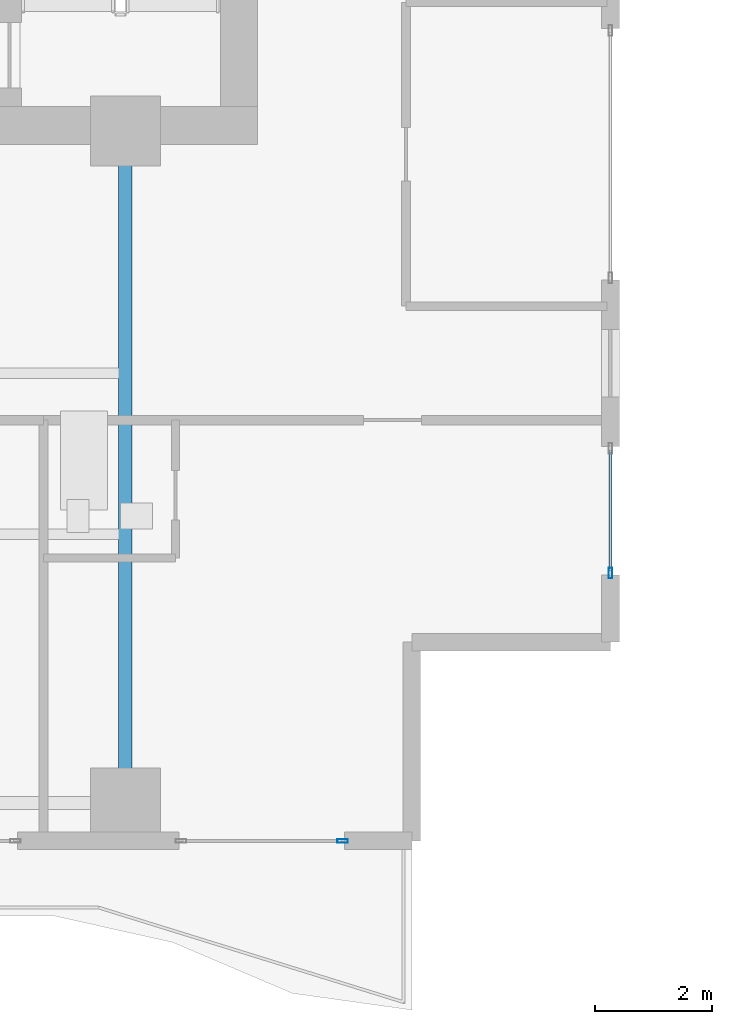
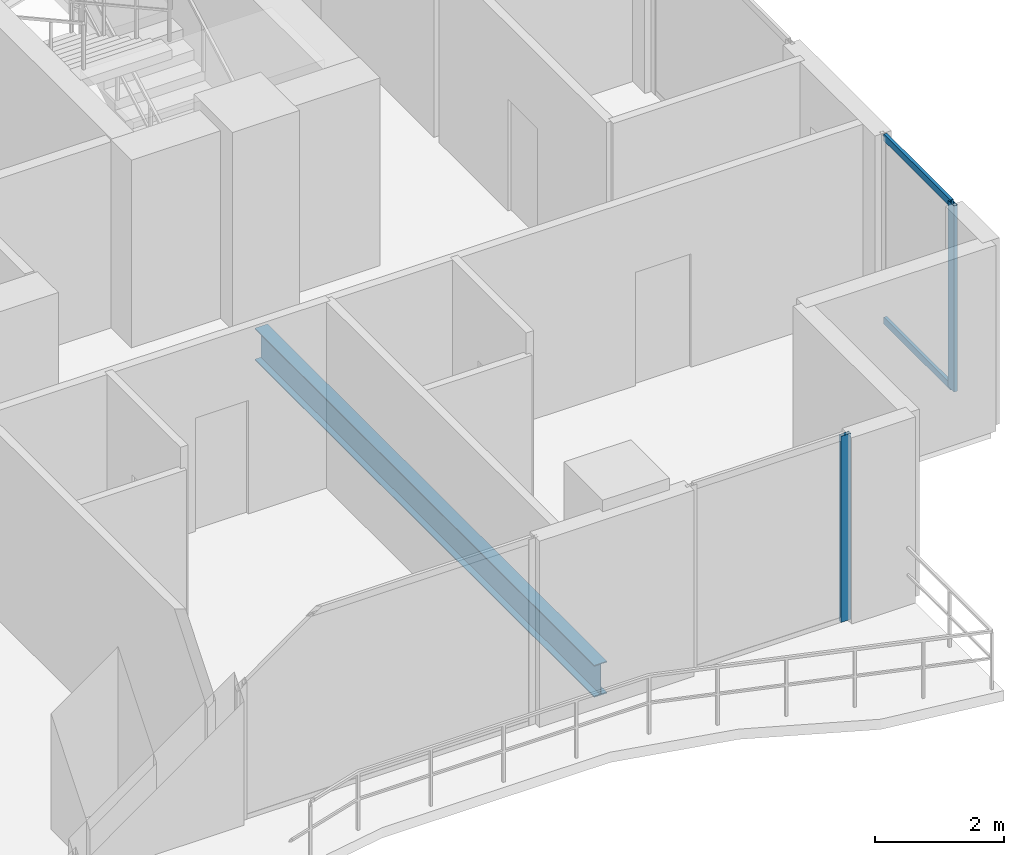
# One storey, part 10 of 32: 4 members, 1 beam, 2 elements without a shape of their own.
"""IFC4 building model written with IfcOpenShell, lengths in metres."""

from ifc_helpers import new_model, si_unit, direction, frame, origin, origin_2d, place, context, subcontext, project, spatial, hollow_rectangle, i_section, extrude, material, layer, layer_set, material_profile, profile_set, type_object, element, aggregate, save


model = new_model("IFC4")

# Units and contexts
model_context = context("Model", 3, precision=1e-05, world=origin(), true_north=direction((0.0, 1.0)))
body_context = subcontext(model_context, "Body", "Model", "MODEL_VIEW")
ifc_project = project(units=[si_unit("LENGTHUNIT", "METRE"), si_unit("AREAUNIT", "SQUARE_METRE"), si_unit("VOLUMEUNIT", "CUBIC_METRE"), si_unit("PLANEANGLEUNIT", "RADIAN"), si_unit("MASSUNIT", "GRAM", prefix="KILO")], contexts=[model_context])

# Site, building, storey
site_placement = place(None, origin())
site = spatial("IfcSite", under=ifc_project, at=site_placement, CompositionType="ELEMENT")
building_placement = place(site_placement, origin())
building = spatial("IfcBuilding", under=site, at=building_placement, Name="Zuhayl Quay Hotel", CompositionType="ELEMENT")
storey_placement = place(building_placement, frame((0.0, 0.0, 196.14990234375)))
storey = spatial("IfcBuildingStorey", under=building, at=storey_placement, Name="L49", CompositionType="ELEMENT", Elevation=196.14990234375)

# Beam
ifc_material_1 = material(Name="Steel ASTM A992 Grade 50", Category="steel")
ifc_material_profile_1 = material_profile(ifc_material_1, i_section(OverallWidth=0.22802734375, OverallDepth=0.60693359375, WebThickness=0.01123046875, FlangeThickness=0.017333984375, at=origin_2d()), Name="W24X76")
ifc_profile_set_1 = profile_set([ifc_material_profile_1], Name="Steel ASTM A992 Grade 50")
beam_type = type_object("IfcBeamType", Name="BM_B3_W24X76", PredefinedType="BEAM", material=ifc_profile_set_1)
beam_placement = place(storey_placement, frame((13.800048828125, -6.449951171875, -0.5234375), z_axis=(0.0, 1.0, 0.0), x_axis=(-1.0, 0.0, 0.0)))
element("IfcBeam", 1, at=beam_placement, inside=storey, type_object=beam_type, Name="L49 Floor Beam FG_S_L49_4", PredefinedType="BEAM", context=body_context, shape_type="SweptSolid", body=[
    extrude(i_section(OverallWidth=0.22802734375, OverallDepth=0.60693359375, WebThickness=0.01123046875, FlangeThickness=0.017333984375, at=origin_2d()), origin(), (0.0, 0.0, 1.0), 10.550048828125),
])

# Curtain wall, member
ifc_material_2 = material(Name="Anodised Aluminium 6063-T6", Category="aluminium")
ifc_layer = layer(ifc_material_2, 0.175048828125, Name="Anodised Aluminium 6063-T6", Category="aluminium")
ifc_layer_set = layer_set([ifc_layer], Name="Anodised Aluminium 6063-T6")
curtain_wall_type = type_object("IfcCurtainWallType", Name="CW_SYS_Z3", PredefinedType="USERDEFINED", material=ifc_layer_set)
curtain_wall_1_placement = place(storey_placement, origin())
curtain_wall_1 = element("IfcCurtainWall", 2, at=curtain_wall_1_placement, inside=storey, type_object=curtain_wall_type, Name="L49 Curtain Wall ENV_L49_E14_CW2", ObjectType="UNITISED CURTAIN WALL", PredefinedType="USERDEFINED")
ifc_material_3 = material(Name="Black-anodised aluminium 6063-T6", Category="aluminium")
ifc_material_profile_2 = material_profile(ifc_material_3, hollow_rectangle(XDim=0.06494140625, YDim=0.179931640625, WallThickness=0.00341796875, at=origin_2d()), Name="ALU180X65")
ifc_profile_set_2 = profile_set([ifc_material_profile_2], Name="Black-anodised aluminium 6063-T6")
member_type_1 = type_object("IfcMemberType", Name="MB_CW_MUL_180", PredefinedType="MULLION", material=ifc_profile_set_2)
member_1_placement = place(storey_placement, frame((22.10009765625, -3.017578125, 0.0), z_axis=(0.0, 0.0, 1.0), x_axis=(1.0, 0.0, 0.0)))
member_1 = element("IfcMember", 3, at=member_1_placement, type_object=member_type_1, Name="CW-Z3 mullion 2", PredefinedType="MULLION", context=body_context, shape_type="SweptSolid", body=[
    extrude(hollow_rectangle(XDim=0.06494140625, YDim=0.179931640625, WallThickness=0.00341796875, at=origin_2d()), origin(), (0.0, 0.0, 1.0), 3.530029296875),
])

curtain_wall_2_placement = place(storey_placement, origin())
curtain_wall_2 = element("IfcCurtainWall", 4, at=curtain_wall_2_placement, inside=storey, type_object=curtain_wall_type, Name="L49 Curtain Wall ENV_L49_S_CW1", ObjectType="UNITISED CURTAIN WALL", PredefinedType="USERDEFINED")
member_2_placement = place(storey_placement, frame((17.517578125, -7.60009765625, 0.0), z_axis=(0.0, 0.0, 1.0), x_axis=(0.0, -1.0, 0.0)))
member_2 = element("IfcMember", 5, at=member_2_placement, type_object=member_type_1, Name="CW-Z3 mullion 1", PredefinedType="MULLION", context=body_context, shape_type="SweptSolid", body=[
    extrude(hollow_rectangle(XDim=0.06494140625, YDim=0.179931640625, WallThickness=0.00341796875, at=origin_2d()), origin(), (0.0, 0.0, 1.0), 3.530029296875),
])
aggregate(curtain_wall_2, [member_2])

# Member
ifc_material_profile_3 = material_profile(ifc_material_3, hollow_rectangle(XDim=0.054931640625, YDim=0.1298828125, WallThickness=0.0029296875, at=origin_2d()), Name="ALU130X55")
ifc_profile_set_3 = profile_set([ifc_material_profile_3], Name="Black-anodised aluminium 6063-T6")
member_type_2 = type_object("IfcMemberType", Name="MB_CW_TRN_130", PredefinedType="USERDEFINED", material=ifc_profile_set_3)
member_3_placement = place(storey_placement, frame((22.10009765625, -0.9150390625, 0.027587890625), z_axis=(0.0, -1.0, 0.0), x_axis=(1.0, 0.0, 0.0)))
member_3 = element("IfcMember", 6, at=member_3_placement, type_object=member_type_2, Name="CW-Z3 transom 1.1", ObjectType="TRANSOM", PredefinedType="USERDEFINED", context=body_context, shape_type="SweptSolid", body=[
    extrude(hollow_rectangle(XDim=0.054931640625, YDim=0.1298828125, WallThickness=0.0029296875, at=origin_2d()), origin(), (0.0, 0.0, 1.0), 2.070068359375),
])

member_4_placement = place(storey_placement, frame((22.10009765625, -0.9150390625, 3.502685546875), z_axis=(0.0, -1.0, 0.0), x_axis=(1.0, 0.0, 0.0)))
member_4 = element("IfcMember", 7, at=member_4_placement, type_object=member_type_2, Name="CW-Z3 transom 1.2", ObjectType="TRANSOM", PredefinedType="USERDEFINED", context=body_context, shape_type="SweptSolid", body=[
    extrude(hollow_rectangle(XDim=0.054931640625, YDim=0.1298828125, WallThickness=0.0029296875, at=origin_2d()), origin(), (0.0, 0.0, 1.0), 2.070068359375),
])

aggregate(curtain_wall_1, [member_1, member_3, member_4])

save(model, "model.ifc")
